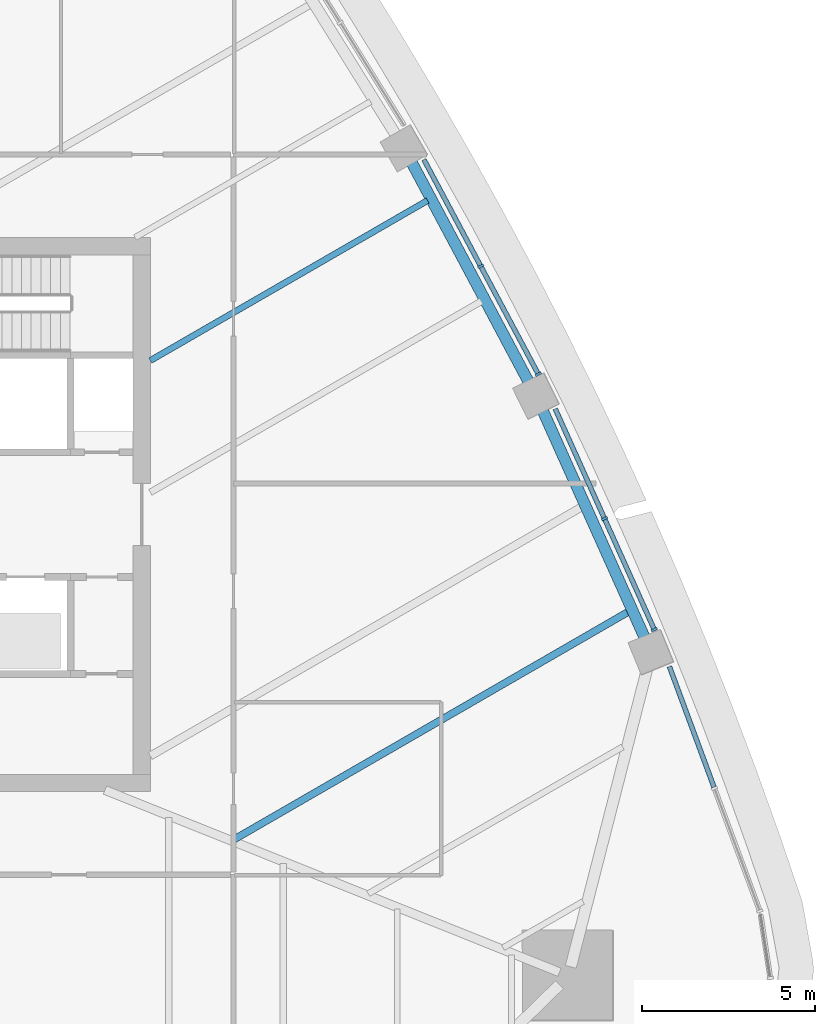
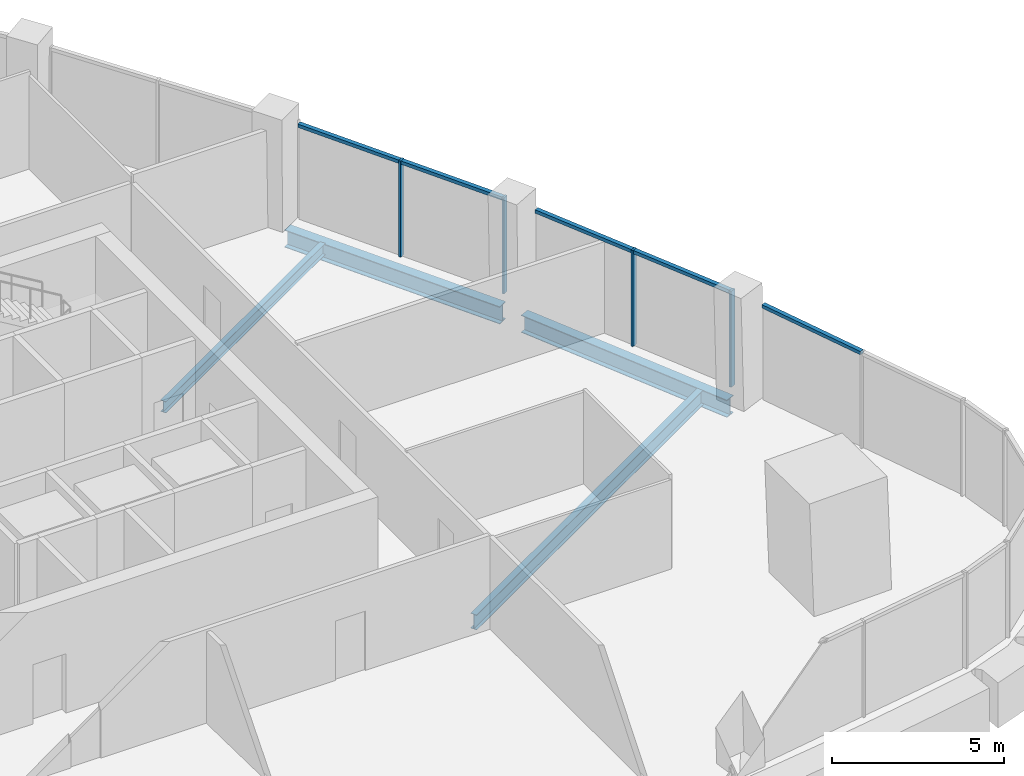
# One storey, part 5 of 16: 9 members, 4 beams, 3 elements without a shape of their own.
"""IFC4 building model written with IfcOpenShell, lengths in metres."""

from ifc_helpers import new_model, si_unit, direction, frame, origin, origin_2d, place, context, subcontext, project, spatial, rectangle, i_section, extrude, material, layer, layer_set, material_profile, profile_set, type_object, element, aggregate, save


model = new_model("IFC4")

# Units and contexts
model_context = context("Model", 3, precision=1e-05, world=origin(), true_north=direction((0.0, 1.0)))
body_context = subcontext(model_context, "Body", "Model", "MODEL_VIEW")
ifc_project = project(units=[si_unit("LENGTHUNIT", "METRE"), si_unit("AREAUNIT", "SQUARE_METRE"), si_unit("VOLUMEUNIT", "CUBIC_METRE"), si_unit("PLANEANGLEUNIT", "RADIAN"), si_unit("MASSUNIT", "GRAM", prefix="KILO")], contexts=[model_context])

# Site, building, storey
site_placement = place(None, origin())
site = spatial("IfcSite", under=ifc_project, at=site_placement, CompositionType="ELEMENT")
building_placement = place(site_placement, origin())
building = spatial("IfcBuilding", under=site, at=building_placement, Name="Sierra Prisma Convention Tower", CompositionType="ELEMENT")
storey_placement = place(building_placement, frame((0.0, 0.0, 197.800048828125)))
storey = spatial("IfcBuildingStorey", under=building, at=storey_placement, Name="L44", CompositionType="ELEMENT", Elevation=197.800048828125)

# Curtain wall, members
ifc_material_1 = material(Name="Aluminium and glass curtain wall", Category="aluminium")
ifc_layer = layer(ifc_material_1, 0.179931640625)
ifc_layer_set = layer_set([ifc_layer], Name="CW-1 Plain shaft curtain wall")
curtain_wall_type = type_object("IfcCurtainWallType", Name="CW-1 Plain shaft curtain wall", PredefinedType="NOTDEFINED", material=ifc_layer_set)
curtain_wall_1_placement = place(storey_placement, origin())
curtain_wall_1 = element("IfcCurtainWall", 1, at=curtain_wall_1_placement, inside=storey, type_object=curtain_wall_type, Name="CW-1 NE2 L44", PredefinedType="NOTDEFINED")
ifc_material_2 = material(Name="Aluminium 6063-T6 bronze anodised", Category="aluminium")
ifc_material_profile_1 = material_profile(ifc_material_2, rectangle(XDim=0.179931640625, YDim=0.070068359375, at=origin_2d()), Name="ALU MULLION 70x180")
ifc_profile_set_1 = profile_set([ifc_material_profile_1], Name="Aluminium 6063-T6 bronze anodised")
member_type_1 = type_object("IfcMemberType", Name="CW mullion bronze", PredefinedType="MULLION", material=ifc_profile_set_1)
member_1_placement = place(storey_placement, frame((25.5546875, -3.322998046875, 0.0), z_axis=(0.0, 0.0, 1.0), x_axis=(-0.912312413332, -0.409494884559, 0.0)))
member_1 = element("IfcMember", 2, at=member_1_placement, type_object=member_type_1, Name="CW-1 mullion NE2.1", PredefinedType="MULLION", context=body_context, shape_type="SweptSolid", body=[
    extrude(rectangle(XDim=0.179931640625, YDim=0.070068359375, at=origin_2d()), origin(), (0.0, 0.0, 1.0), 3.39990234375),
])
member_2_placement = place(storey_placement, frame((24.116455078125, -0.11865234375, 0.0), z_axis=(0.0, 0.0, 1.0), x_axis=(-0.912312413332, -0.409494884559, 0.0)))
member_2 = element("IfcMember", 3, at=member_2_placement, type_object=member_type_1, Name="CW-1 mullion NE2.2", PredefinedType="MULLION", context=body_context, shape_type="SweptSolid", body=[
    extrude(rectangle(XDim=0.179931640625, YDim=0.070068359375, at=origin_2d()), origin(), (0.0, 0.0, 1.0), 3.39990234375),
])

curtain_wall_2_placement = place(storey_placement, origin())
curtain_wall_2 = element("IfcCurtainWall", 4, at=curtain_wall_2_placement, inside=storey, type_object=curtain_wall_type, Name="CW-1 NE3 L44", PredefinedType="NOTDEFINED")
member_3_placement = place(storey_placement, frame((22.20166015625, 4.056884765625, 0.0), z_axis=(0.0, 0.0, 1.0), x_axis=(-0.882474339128, -0.470360543393, 0.0)))
member_3 = element("IfcMember", 5, at=member_3_placement, type_object=member_type_1, Name="CW-1 mullion NE3.1", PredefinedType="MULLION", context=body_context, shape_type="SweptSolid", body=[
    extrude(rectangle(XDim=0.179931640625, YDim=0.070068359375, at=origin_2d()), origin(), (0.0, 0.0, 1.0), 3.39990234375),
])
member_4_placement = place(storey_placement, frame((20.5419921875, 7.170654296875, 0.0), z_axis=(0.0, 0.0, 1.0), x_axis=(-0.882474339128, -0.470360543393, 0.0)))
member_4 = element("IfcMember", 6, at=member_4_placement, type_object=member_type_1, Name="CW-1 mullion NE3.2", PredefinedType="MULLION", context=body_context, shape_type="SweptSolid", body=[
    extrude(rectangle(XDim=0.179931640625, YDim=0.070068359375, at=origin_2d()), origin(), (0.0, 0.0, 1.0), 3.39990234375),
])

# Curtain wall, member
curtain_wall_3_placement = place(storey_placement, origin())
curtain_wall_3 = element("IfcCurtainWall", 7, at=curtain_wall_3_placement, inside=storey, type_object=curtain_wall_type, Name="CW-1 NE1 L44", PredefinedType="NOTDEFINED")
ifc_material_3 = material(Name="Aluminium 6063-T6 bronze anodised", Category="aluminium")
ifc_material_profile_2 = material_profile(ifc_material_3, rectangle(XDim=0.139892578125, YDim=0.1201171875, at=origin_2d()), Name="ALU TRANSOM 120x140")
ifc_profile_set_2 = profile_set([ifc_material_profile_2], Name="Aluminium 6063-T6 bronze anodised")
member_type_2 = type_object("IfcMemberType", Name="CW transom bronze", PredefinedType="USERDEFINED", material=ifc_profile_set_2)
member_5_placement = place(storey_placement, frame((27.277587890625, -7.8701171875, 3.33984375), z_axis=(-0.346762020219, 0.93795314453, 0.0), x_axis=(-0.93795314453, -0.346762020219, 0.0)))
member_5 = element("IfcMember", 8, at=member_5_placement, type_object=member_type_2, Name="CW-1 transom NE1.2", ObjectType="TRANSOM", PredefinedType="USERDEFINED", context=body_context, shape_type="SweptSolid", body=[
    extrude(rectangle(XDim=0.139892578125, YDim=0.1201171875, at=origin_2d()), origin(), (0.0, 0.0, 1.0), 3.714599609375),
])
aggregate(curtain_wall_3, [member_5])

# Member
member_6_placement = place(storey_placement, frame((25.540283203125, -3.291015625, 3.33984375), z_axis=(-0.409491628771, 0.912313874698, 0.0), x_axis=(-0.912313874698, -0.409491628771, 0.0)))
member_6 = element("IfcMember", 9, at=member_6_placement, type_object=member_type_2, Name="CW-1 transom NE2.1", ObjectType="TRANSOM", PredefinedType="USERDEFINED", context=body_context, shape_type="SweptSolid", body=[
    extrude(rectangle(XDim=0.139892578125, YDim=0.1201171875, at=origin_2d()), origin(), (0.0, 0.0, 1.0), 3.4423828125),
])

member_7_placement = place(storey_placement, frame((24.10205078125, -0.086669921875, 3.33984375), z_axis=(-0.409491628771, 0.912313874698, 0.0), x_axis=(-0.912313874698, -0.409491628771, 0.0)))
member_7 = element("IfcMember", 10, at=member_7_placement, type_object=member_type_2, Name="CW-1 transom NE2.2", ObjectType="TRANSOM", PredefinedType="USERDEFINED", context=body_context, shape_type="SweptSolid", body=[
    extrude(rectangle(XDim=0.139892578125, YDim=0.1201171875, at=origin_2d()), origin(), (0.0, 0.0, 1.0), 3.4423828125),
])

aggregate(curtain_wall_1, [member_1, member_2, member_6, member_7])

member_8_placement = place(storey_placement, frame((22.18505859375, 4.087890625, 3.33984375), z_axis=(-0.47038669227, 0.882460401228, 0.0), x_axis=(-0.882460401228, -0.47038669227, 0.0)))
member_8 = element("IfcMember", 11, at=member_8_placement, type_object=member_type_2, Name="CW-1 transom NE3.1", ObjectType="TRANSOM", PredefinedType="USERDEFINED", context=body_context, shape_type="SweptSolid", body=[
    extrude(rectangle(XDim=0.139892578125, YDim=0.1201171875, at=origin_2d()), origin(), (0.0, 0.0, 1.0), 3.458251953125),
])

member_9_placement = place(storey_placement, frame((20.525390625, 7.201416015625, 3.33984375), z_axis=(-0.470357389259, 0.88247602028, 0.0), x_axis=(-0.88247602028, -0.470357389259, 0.0)))
member_9 = element("IfcMember", 12, at=member_9_placement, type_object=member_type_2, Name="CW-1 transom NE3.2", ObjectType="TRANSOM", PredefinedType="USERDEFINED", context=body_context, shape_type="SweptSolid", body=[
    extrude(rectangle(XDim=0.139892578125, YDim=0.1201171875, at=origin_2d()), origin(), (0.0, 0.0, 1.0), 3.45849609375),
])

aggregate(curtain_wall_2, [member_3, member_4, member_8, member_9])

# Beams
ifc_material_4 = material(Name="Steel ASTM A992 Gr 50", Category="steel")
ifc_material_profile_3 = material_profile(ifc_material_4, i_section(OverallWidth=0.177978515625, OverallDepth=0.406982421875, WebThickness=0.0078125, FlangeThickness=0.0126953125, at=origin_2d()), Name="W410x60")
ifc_profile_set_3 = profile_set([ifc_material_profile_3], Name="Steel ASTM A992 Gr 50")
beam_type_1 = type_object("IfcBeamType", Name="Floor joist W410x60", PredefinedType="JOIST", material=ifc_profile_set_3)
beam_1_placement = place(storey_placement, frame((19.005859375, 9.06982421875, -0.353515625), z_axis=(-0.866030778866, -0.49999068997, 0.0), x_axis=(0.49999068997, -0.866030778866, 0.0)))
element("IfcBeam", 13, at=beam_1_placement, inside=storey, type_object=beam_type_1, Name="Floor joist L44 NE07", PredefinedType="JOIST", context=body_context, shape_type="SweptSolid", body=[
    extrude(i_section(OverallWidth=0.177978515625, OverallDepth=0.406982421875, WebThickness=0.0078125, FlangeThickness=0.0126953125, at=origin_2d()), origin(), (0.0, 0.0, 1.0), 9.244384765625),
])
ifc_material_5 = material(Name="Steel ASTM A992 Gr 50", Category="steel")
ifc_material_profile_4 = material_profile(ifc_material_5, i_section(OverallWidth=0.208984375, OverallDepth=0.532958984375, WebThickness=0.01025390625, FlangeThickness=0.015625, at=origin_2d()), Name="W530x92")
ifc_profile_set_4 = profile_set([ifc_material_profile_4], Name="Steel ASTM A992 Gr 50")
beam_type_2 = type_object("IfcBeamType", Name="Floor joist W530x92", PredefinedType="JOIST", material=ifc_profile_set_4)
beam_2_placement = place(storey_placement, frame((24.81396484375, -2.80224609375, -0.41650390625), z_axis=(-0.866022351041, -0.50000528747, 0.0), x_axis=(0.50000528747, -0.866022351041, 0.0)))
element("IfcBeam", 14, at=beam_2_placement, inside=storey, type_object=beam_type_2, Name="Floor joist L44 NE03", PredefinedType="JOIST", context=body_context, shape_type="SweptSolid", body=[
    extrude(i_section(OverallWidth=0.208984375, OverallDepth=0.532958984375, WebThickness=0.01025390625, FlangeThickness=0.015625, at=origin_2d()), origin(), (0.0, 0.0, 1.0), 13.175537109375),
])
ifc_material_6 = material(Name="Steel ASTM A992 Gr 50", Category="steel")
ifc_material_profile_5 = material_profile(ifc_material_6, i_section(OverallWidth=0.324951171875, OverallDepth=0.615966796875, WebThickness=0.013916015625, FlangeThickness=0.021484375, at=origin_2d()), Name="W610x174")
ifc_profile_set_5 = profile_set([ifc_material_profile_5], Name="Steel ASTM A992 Gr 50")
beam_type_3 = type_object("IfcBeamType", Name="Spandrel beam W610x174", PredefinedType="BEAM", material=ifc_profile_set_5)
beam_3_placement = place(storey_placement, frame((25.312255859375, -3.636962890625, -0.4580078125), z_axis=(-0.409486663233, 0.912316103461, 0.0), x_axis=(-0.912316103461, -0.409486663233, 0.0)))
element("IfcBeam", 15, at=beam_3_placement, inside=storey, type_object=beam_type_3, Name="Spandrel L44-08", PredefinedType="BEAM", context=body_context, shape_type="SweptSolid", body=[
    extrude(i_section(OverallWidth=0.324951171875, OverallDepth=0.615966796875, WebThickness=0.013916015625, FlangeThickness=0.021484375, at=origin_2d()), origin(), (0.0, 0.0, 1.0), 7.35498046875),
])
beam_4_placement = place(storey_placement, frame((21.9658203125, 3.755615234375, -0.4580078125), z_axis=(-0.470352171753, 0.882478801177, 0.0), x_axis=(-0.882478801177, -0.470352171753, 0.0)))
element("IfcBeam", 16, at=beam_4_placement, inside=storey, type_object=beam_type_3, Name="Spandrel L44-09", PredefinedType="BEAM", context=body_context, shape_type="SweptSolid", body=[
    extrude(i_section(OverallWidth=0.324951171875, OverallDepth=0.615966796875, WebThickness=0.013916015625, FlangeThickness=0.021484375, at=origin_2d()), origin(), (0.0, 0.0, 1.0), 7.3544921875),
])

save(model, "model.ifc")
